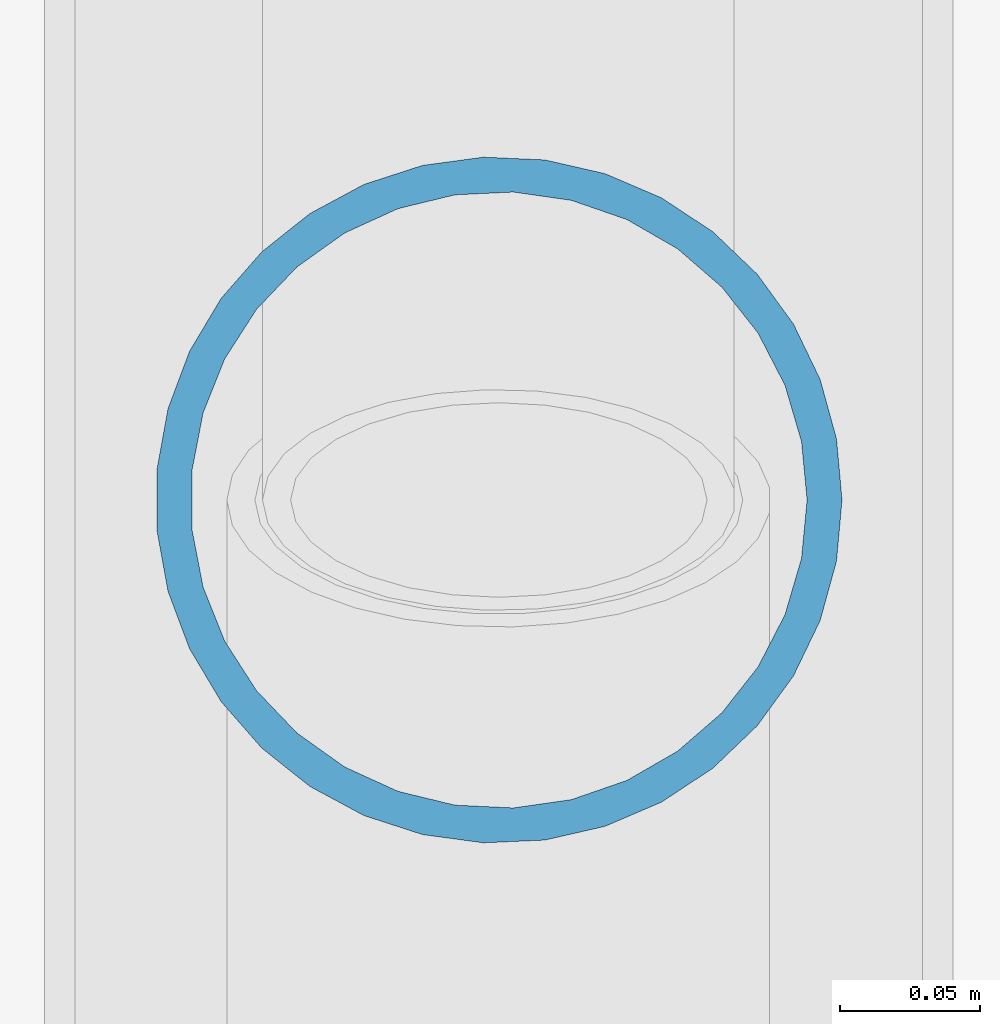
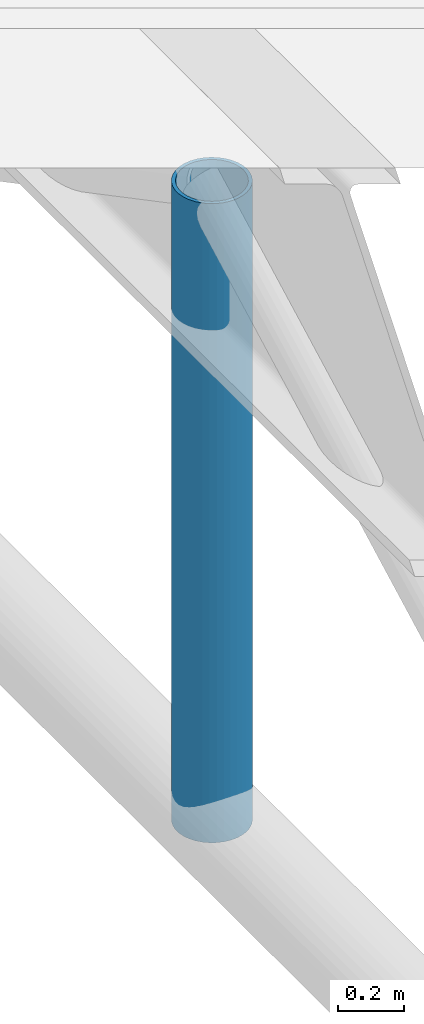
# One storey, part 86 of 196: 1 member.
"""IFC4 building model written with IfcOpenShell, lengths in metres."""

from ifc_helpers import new_model, si_unit, direction, frame, origin, origin_2d, place, context, subcontext, project, spatial, hollow_circle, extrude, material, material_profile, profile_set, type_object, element, save


model = new_model("IFC4")

# Units and contexts
model_context = context("Model", 3, precision=1e-05, world=origin(), true_north=direction((0.0, 1.0)))
body_context = subcontext(model_context, "Body", "Model", "MODEL_VIEW")
ifc_project = project(units=[si_unit("LENGTHUNIT", "METRE"), si_unit("AREAUNIT", "SQUARE_METRE"), si_unit("VOLUMEUNIT", "CUBIC_METRE"), si_unit("PLANEANGLEUNIT", "RADIAN"), si_unit("MASSUNIT", "GRAM", prefix="KILO")], contexts=[model_context])

# Site, building, storey
site_placement = place(None, origin())
site = spatial("IfcSite", under=ifc_project, at=site_placement, CompositionType="ELEMENT")
building_placement = place(site_placement, origin())
building = spatial("IfcBuilding", under=site, at=building_placement, Name="Barlavento Convention Centre", CompositionType="ELEMENT")
storey_placement = place(building_placement, frame((0.0, 0.0, 18.0)))
storey = spatial("IfcBuildingStorey", under=building, at=storey_placement, Name="L03", CompositionType="ELEMENT", Elevation=18.0)

# Member
ifc_material = material(Name="Steel S355", Category="steel")
ifc_material_profile = material_profile(ifc_material, hollow_circle(Radius=0.122314453125, WallThickness=0.012451171875, at=origin_2d()), Name="CHS 244.5x12.5")
ifc_profile_set = profile_set([ifc_material_profile], Name="Steel S355")
member_type = type_object("IfcMemberType", Name="STR-MEM-STRUT-CHS244", PredefinedType="STRUT", material=ifc_profile_set)
member_placement = place(storey_placement, frame((99.0, 94.5, -3.199951171875), z_axis=(0.0, 0.0, 1.0), x_axis=(1.0, 0.0, 0.0)))
element("IfcMember", 1, at=member_placement, inside=storey, type_object=member_type, Name="Exhibition space frame vertical strut", PredefinedType="STRUT", context=body_context, shape_type="SweptSolid", body=[
    extrude(hollow_circle(Radius=0.122314453125, WallThickness=0.012451171875, at=origin_2d()), origin(), (0.0, 0.0, 1.0), 2.350830078125),
])

save(model, "model.ifc")
